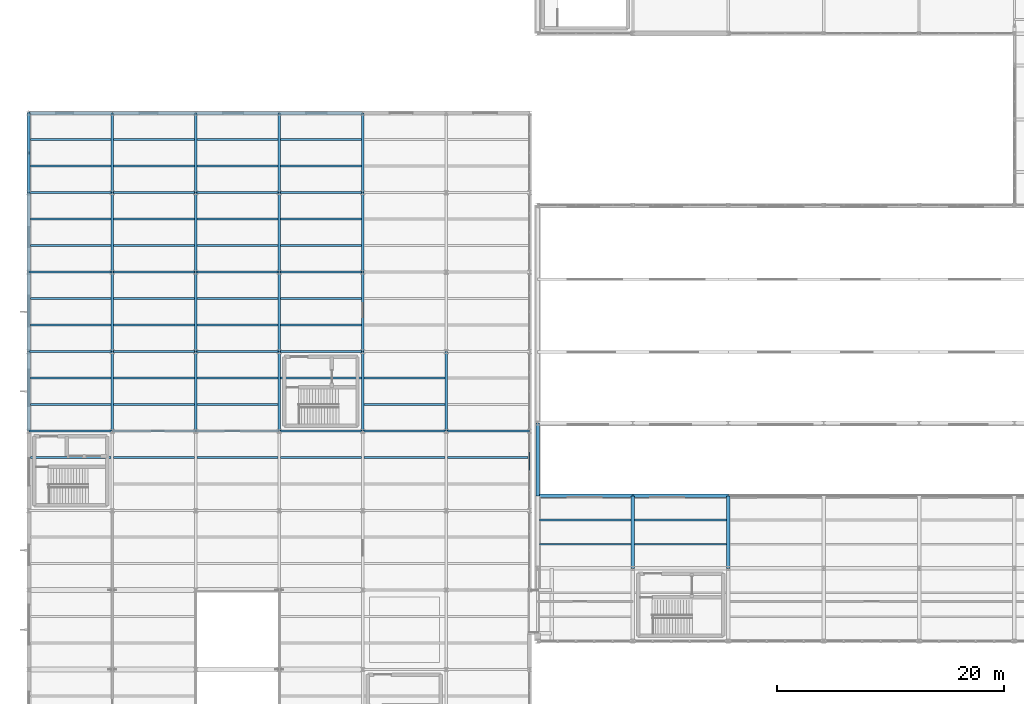
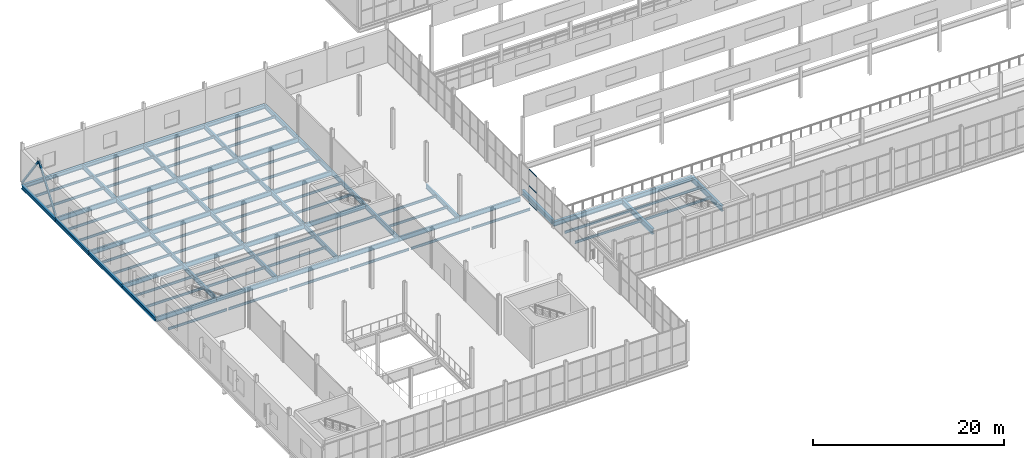
# One storey, part 50 of 218: 91 beams, 5 members, 1 element without a shape of its own.
"""IFC4 building model written with IfcOpenShell, lengths in metres."""

from ifc_helpers import new_model, si_unit, direction, frame, origin, origin_2d, place, context, subcontext, project, spatial, hollow_rectangle, i_section, extrude, material, material_profile, profile_set, type_object, element, aggregate, save


model = new_model("IFC4")

# Units and contexts
model_context = context("Model", 3, precision=1e-05, world=origin(), true_north=direction((0.0, 1.0)))
body_context = subcontext(model_context, "Body", "Model", "MODEL_VIEW")
ifc_project = project(units=[si_unit("LENGTHUNIT", "METRE"), si_unit("AREAUNIT", "SQUARE_METRE"), si_unit("VOLUMEUNIT", "CUBIC_METRE"), si_unit("PLANEANGLEUNIT", "RADIAN"), si_unit("MASSUNIT", "GRAM", prefix="KILO")], contexts=[model_context])

# Site, building, storey
site_placement = place(None, origin())
site = spatial("IfcSite", under=ifc_project, at=site_placement, CompositionType="ELEMENT")
building_placement = place(site_placement, origin())
building = spatial("IfcBuilding", under=site, at=building_placement, Name="Kazenagashi Tramway Depot", CompositionType="ELEMENT")
storey_placement = place(building_placement, frame((0.0, 0.0, 6.0)))
storey = spatial("IfcBuildingStorey", under=building, at=storey_placement, Name="L02", CompositionType="ELEMENT", Elevation=6.0)

# Members
ifc_material_1 = material(Name="Steel STKR490", Category="steel")
ifc_material_profile_1 = material_profile(ifc_material_1, hollow_rectangle(XDim=0.2, YDim=0.2, WallThickness=0.009, at=origin_2d()), Name="SHS-200x200x9")
ifc_profile_set_1 = profile_set([ifc_material_profile_1], Name="Steel STKR490")
member_type_1 = type_object("IfcMemberType", Name="BR-01", PredefinedType="BRACE", material=ifc_profile_set_1)
for number, where, z_axis, x_axis, name in (
    (1, (0.0, 56.0, 0.0), (0.0, 0.585185286754, 0.810899611645), (-1.0, 0.0, 0.0), "Seismic Brace Member BR-01 MEM-1604"),
    (2, (0.0, 63.0, 0.0), (0.0, -0.585185286754, 0.810899611645), (1.0, 0.0, 0.0), "Seismic Brace Member BR-01 MEM-1605"),
):
    element("IfcMember", number, at=place(storey_placement, frame(where, z_axis=z_axis, x_axis=x_axis)), inside=storey, type_object=member_type_1, Name=name, PredefinedType="BRACE", context=body_context, shape_type="SweptSolid", body=[
        extrude(hollow_rectangle(XDim=0.2, YDim=0.2, WallThickness=0.009, at=origin_2d()), origin(), (0.0, 0.0, 1.0), 5.981012),
    ])

# Beams
ifc_material_2 = material(Name="Steel SN490B", Category="steel")
ifc_material_profile_2 = material_profile(ifc_material_2, i_section(OverallWidth=0.3, OverallDepth=0.7, WebThickness=0.013, FlangeThickness=0.024, at=origin_2d()), Name="H-700x300x13x24")
ifc_profile_set_2 = profile_set([ifc_material_profile_2], Name="Steel SN490B")
beam_type_1 = type_object("IfcBeamType", Name="G-02", PredefinedType="BEAM", material=ifc_profile_set_2)
for number, where, z_axis, x_axis, name in (
    (3, (53.2, 22.9, -0.6), (0.0, 1.0, 0.0), (-1.0, 0.0, 0.0), "Beam G-02 BM-1038"),
    (4, (61.6, 22.9, -0.6), (0.0, 1.0, 0.0), (-1.0, 0.0, 0.0), "Beam G-02 BM-1044"),
):
    element("IfcBeam", number, at=place(storey_placement, frame(where, z_axis=z_axis, x_axis=x_axis)), inside=storey, type_object=beam_type_1, Name=name, PredefinedType="BEAM", context=body_context, shape_type="SweptSolid", body=[
        extrude(i_section(OverallWidth=0.3, OverallDepth=0.7, WebThickness=0.013, FlangeThickness=0.024, at=origin_2d()), origin(), (0.0, 0.0, 1.0), 6.4),
    ])
ifc_material_profile_3 = material_profile(ifc_material_2, i_section(OverallWidth=0.2, OverallDepth=0.6, WebThickness=0.011, FlangeThickness=0.017, at=origin_2d()), Name="H-600x200x11x17")
ifc_profile_set_3 = profile_set([ifc_material_profile_3], Name="Steel SN490B")
beam_type_2 = type_object("IfcBeamType", Name="G-03", PredefinedType="BEAM", material=ifc_profile_set_3)
for number, where, z_axis, x_axis, name in (
    (5, (0.0, 35.0, -0.55), (1.0, 0.0, 0.0), (0.0, 1.0, 0.0), "Beam G-03 BM-0025"),
    (6, (7.35, 35.0, -0.55), (1.0, 0.0, 0.0), (0.0, 1.0, 0.0), "Beam G-03 BM-0026"),
    (7, (14.7, 35.0, -0.55), (1.0, 0.0, 0.0), (0.0, 1.0, 0.0), "Beam G-03 BM-0027"),
    (8, (22.05, 35.0, -0.55), (1.0, 0.0, 0.0), (0.0, 1.0, 0.0), "Beam G-03 BM-0028"),
    (9, (29.4, 35.0, -0.55), (1.0, 0.0, 0.0), (0.0, 1.0, 0.0), "Beam G-03 BM-0029"),
    (10, (36.75, 35.0, -0.55), (1.0, 0.0, 0.0), (0.0, 1.0, 0.0), "Beam G-03 BM-0030"),
    (11, (0.0, 42.0, -0.55), (1.0, 0.0, 0.0), (0.0, 1.0, 0.0), "Beam G-03 BM-0031"),
    (12, (7.35, 42.0, -0.55), (1.0, 0.0, 0.0), (0.0, 1.0, 0.0), "Beam G-03 BM-0032"),
    (13, (14.7, 42.0, -0.55), (1.0, 0.0, 0.0), (0.0, 1.0, 0.0), "Beam G-03 BM-0033"),
    (14, (22.05, 42.0, -0.55), (1.0, 0.0, 0.0), (0.0, 1.0, 0.0), "Beam G-03 BM-0034"),
    (15, (0.0, 49.0, -0.55), (1.0, 0.0, 0.0), (0.0, 1.0, 0.0), "Beam G-03 BM-0037"),
    (16, (7.35, 49.0, -0.55), (1.0, 0.0, 0.0), (0.0, 1.0, 0.0), "Beam G-03 BM-0038"),
    (17, (14.7, 49.0, -0.55), (1.0, 0.0, 0.0), (0.0, 1.0, 0.0), "Beam G-03 BM-0039"),
    (18, (22.05, 49.0, -0.55), (1.0, 0.0, 0.0), (0.0, 1.0, 0.0), "Beam G-03 BM-0040"),
    (19, (0.0, 56.0, -0.55), (1.0, 0.0, 0.0), (0.0, 1.0, 0.0), "Beam G-03 BM-0043"),
    (20, (7.35, 56.0, -0.55), (1.0, 0.0, 0.0), (0.0, 1.0, 0.0), "Beam G-03 BM-0044"),
    (21, (14.7, 56.0, -0.55), (1.0, 0.0, 0.0), (0.0, 1.0, 0.0), "Beam G-03 BM-0045"),
    (22, (22.05, 56.0, -0.55), (1.0, 0.0, 0.0), (0.0, 1.0, 0.0), "Beam G-03 BM-0046"),
):
    element("IfcBeam", number, at=place(storey_placement, frame(where, z_axis=z_axis, x_axis=x_axis)), inside=storey, type_object=beam_type_2, Name=name, PredefinedType="BEAM", context=body_context, shape_type="SweptSolid", body=[
        extrude(i_section(OverallWidth=0.2, OverallDepth=0.6, WebThickness=0.011, FlangeThickness=0.017, at=origin_2d()), origin(), (0.0, 0.0, 1.0), 7.35),
    ])
for number, where, z_axis, x_axis, name in (
    (23, (7.35, 35.0, -0.55), (0.0, 1.0, 0.0), (-1.0, 0.0, 0.0), "Beam G-03 BM-0095"),
    (24, (7.35, 42.0, -0.55), (0.0, 1.0, 0.0), (-1.0, 0.0, 0.0), "Beam G-03 BM-0098"),
    (25, (7.35, 49.0, -0.55), (0.0, 1.0, 0.0), (-1.0, 0.0, 0.0), "Beam G-03 BM-0101"),
    (26, (7.35, 56.0, -0.55), (0.0, 1.0, 0.0), (-1.0, 0.0, 0.0), "Beam G-03 BM-0104"),
    (27, (14.7, 35.0, -0.55), (0.0, 1.0, 0.0), (-1.0, 0.0, 0.0), "Beam G-03 BM-0118"),
    (28, (14.7, 42.0, -0.55), (0.0, 1.0, 0.0), (-1.0, 0.0, 0.0), "Beam G-03 BM-0121"),
    (29, (14.7, 49.0, -0.55), (0.0, 1.0, 0.0), (-1.0, 0.0, 0.0), "Beam G-03 BM-0124"),
    (30, (14.7, 56.0, -0.55), (0.0, 1.0, 0.0), (-1.0, 0.0, 0.0), "Beam G-03 BM-0127"),
    (31, (22.05, 35.0, -0.55), (0.0, 1.0, 0.0), (-1.0, 0.0, 0.0), "Beam G-03 BM-0145"),
    (32, (22.05, 42.0, -0.55), (0.0, 1.0, 0.0), (-1.0, 0.0, 0.0), "Beam G-03 BM-0147"),
    (33, (22.05, 49.0, -0.55), (0.0, 1.0, 0.0), (-1.0, 0.0, 0.0), "Beam G-03 BM-0150"),
    (34, (22.05, 56.0, -0.55), (0.0, 1.0, 0.0), (-1.0, 0.0, 0.0), "Beam G-03 BM-0153"),
    (35, (29.4, 35.0, -0.55), (0.0, 1.0, 0.0), (-1.0, 0.0, 0.0), "Beam G-03 BM-0170"),
    (36, (29.4, 42.0, -0.55), (0.0, 1.0, 0.0), (-1.0, 0.0, 0.0), "Beam G-03 BM-0173"),
    (37, (29.4, 49.0, -0.55), (0.0, 1.0, 0.0), (-1.0, 0.0, 0.0), "Beam G-03 BM-0176"),
    (38, (29.4, 56.0, -0.55), (0.0, 1.0, 0.0), (-1.0, 0.0, 0.0), "Beam G-03 BM-0179"),
    (39, (36.75, 35.0, -0.55), (0.0, 1.0, 0.0), (-1.0, 0.0, 0.0), "Beam G-03 BM-0197"),
):
    element("IfcBeam", number, at=place(storey_placement, frame(where, z_axis=z_axis, x_axis=x_axis)), inside=storey, type_object=beam_type_2, Name=name, PredefinedType="BEAM", context=body_context, shape_type="SweptSolid", body=[
        extrude(i_section(OverallWidth=0.2, OverallDepth=0.6, WebThickness=0.011, FlangeThickness=0.017, at=origin_2d()), origin(), (0.0, 0.0, 1.0), 7.0),
    ])
ifc_material_3 = material(Name="Steel SN400B", Category="steel")
ifc_material_profile_4 = material_profile(ifc_material_3, i_section(OverallWidth=0.15, OverallDepth=0.3, WebThickness=0.0065, FlangeThickness=0.009, at=origin_2d()), Name="H-300x150x6.5x9")
ifc_profile_set_4 = profile_set([ifc_material_profile_4], Name="Steel SN400B")
beam_type_3 = type_object("IfcBeamType", Name="J-02", PredefinedType="JOIST", material=ifc_profile_set_4)
for number, where, z_axis, x_axis, name in (
    (40, (0.15, 32.667, -0.4), (1.0, 0.0, 0.0), (0.0, 1.0, 0.0), "Beam J-02 BM-0067"),
    (41, (0.15, 37.333, -0.4), (1.0, 0.0, 0.0), (0.0, 1.0, 0.0), "Beam J-02 BM-0069"),
    (42, (0.15, 39.667, -0.4), (1.0, 0.0, 0.0), (0.0, 1.0, 0.0), "Beam J-02 BM-0070"),
    (43, (0.15, 44.333, -0.4), (1.0, 0.0, 0.0), (0.0, 1.0, 0.0), "Beam J-02 BM-0072"),
    (44, (0.15, 46.667, -0.4), (1.0, 0.0, 0.0), (0.0, 1.0, 0.0), "Beam J-02 BM-0073"),
    (45, (0.15, 51.333, -0.4), (1.0, 0.0, 0.0), (0.0, 1.0, 0.0), "Beam J-02 BM-0075"),
    (46, (0.15, 53.667, -0.4), (1.0, 0.0, 0.0), (0.0, 1.0, 0.0), "Beam J-02 BM-0076"),
    (47, (0.15, 58.333, -0.4), (1.0, 0.0, 0.0), (0.0, 1.0, 0.0), "Beam J-02 BM-0078"),
    (48, (0.15, 60.667, -0.4), (1.0, 0.0, 0.0), (0.0, 1.0, 0.0), "Beam J-02 BM-0079"),
):
    element("IfcBeam", number, at=place(storey_placement, frame(where, z_axis=z_axis, x_axis=x_axis)), inside=storey, type_object=beam_type_3, Name=name, PredefinedType="JOIST", context=body_context, shape_type="SweptSolid", body=[
        extrude(i_section(OverallWidth=0.15, OverallDepth=0.3, WebThickness=0.0065, FlangeThickness=0.009, at=origin_2d()), origin(), (0.0, 0.0, 1.0), 7.1),
    ])
for number, where, z_axis, x_axis, name in (
    (49, (7.45, 32.667, -0.4), (1.0, 0.0, 0.0), (0.0, 1.0, 0.0), "Beam J-02 BM-0094"),
    (50, (7.45, 37.333, -0.4), (1.0, 0.0, 0.0), (0.0, 1.0, 0.0), "Beam J-02 BM-0096"),
    (51, (7.45, 39.667, -0.4), (1.0, 0.0, 0.0), (0.0, 1.0, 0.0), "Beam J-02 BM-0097"),
    (52, (7.45, 44.333, -0.4), (1.0, 0.0, 0.0), (0.0, 1.0, 0.0), "Beam J-02 BM-0099"),
    (53, (7.45, 46.667, -0.4), (1.0, 0.0, 0.0), (0.0, 1.0, 0.0), "Beam J-02 BM-0100"),
    (54, (7.45, 51.333, -0.4), (1.0, 0.0, 0.0), (0.0, 1.0, 0.0), "Beam J-02 BM-0102"),
    (55, (7.45, 53.667, -0.4), (1.0, 0.0, 0.0), (0.0, 1.0, 0.0), "Beam J-02 BM-0103"),
    (56, (7.45, 58.333, -0.4), (1.0, 0.0, 0.0), (0.0, 1.0, 0.0), "Beam J-02 BM-0105"),
    (57, (7.45, 60.667, -0.4), (1.0, 0.0, 0.0), (0.0, 1.0, 0.0), "Beam J-02 BM-0106"),
    (58, (14.8, 32.667, -0.4), (1.0, 0.0, 0.0), (0.0, 1.0, 0.0), "Beam J-02 BM-0117"),
    (59, (14.8, 37.333, -0.4), (1.0, 0.0, 0.0), (0.0, 1.0, 0.0), "Beam J-02 BM-0119"),
    (60, (14.8, 39.667, -0.4), (1.0, 0.0, 0.0), (0.0, 1.0, 0.0), "Beam J-02 BM-0120"),
    (61, (14.8, 44.333, -0.4), (1.0, 0.0, 0.0), (0.0, 1.0, 0.0), "Beam J-02 BM-0122"),
    (62, (14.8, 46.667, -0.4), (1.0, 0.0, 0.0), (0.0, 1.0, 0.0), "Beam J-02 BM-0123"),
    (63, (14.8, 51.333, -0.4), (1.0, 0.0, 0.0), (0.0, 1.0, 0.0), "Beam J-02 BM-0125"),
    (64, (14.8, 53.667, -0.4), (1.0, 0.0, 0.0), (0.0, 1.0, 0.0), "Beam J-02 BM-0126"),
    (65, (14.8, 58.333, -0.4), (1.0, 0.0, 0.0), (0.0, 1.0, 0.0), "Beam J-02 BM-0128"),
    (66, (14.8, 60.667, -0.4), (1.0, 0.0, 0.0), (0.0, 1.0, 0.0), "Beam J-02 BM-0129"),
    (67, (22.15, 32.667, -0.4), (1.0, 0.0, 0.0), (0.0, 1.0, 0.0), "Beam J-02 BM-0144"),
    (68, (22.15, 39.667, -0.4), (1.0, 0.0, 0.0), (0.0, 1.0, 0.0), "Beam J-02 BM-0146"),
    (69, (22.15, 44.333, -0.4), (1.0, 0.0, 0.0), (0.0, 1.0, 0.0), "Beam J-02 BM-0148"),
    (70, (22.15, 46.667, -0.4), (1.0, 0.0, 0.0), (0.0, 1.0, 0.0), "Beam J-02 BM-0149"),
    (71, (22.15, 51.333, -0.4), (1.0, 0.0, 0.0), (0.0, 1.0, 0.0), "Beam J-02 BM-0151"),
    (72, (22.15, 53.667, -0.4), (1.0, 0.0, 0.0), (0.0, 1.0, 0.0), "Beam J-02 BM-0152"),
    (73, (22.15, 58.333, -0.4), (1.0, 0.0, 0.0), (0.0, 1.0, 0.0), "Beam J-02 BM-0154"),
    (74, (22.15, 60.667, -0.4), (1.0, 0.0, 0.0), (0.0, 1.0, 0.0), "Beam J-02 BM-0155"),
    (75, (29.5, 32.667, -0.4), (1.0, 0.0, 0.0), (0.0, 1.0, 0.0), "Beam J-02 BM-0169"),
    (76, (29.5, 37.333, -0.4), (1.0, 0.0, 0.0), (0.0, 1.0, 0.0), "Beam J-02 BM-0171"),
    (77, (29.5, 39.667, -0.4), (1.0, 0.0, 0.0), (0.0, 1.0, 0.0), "Beam J-02 BM-0172"),
):
    element("IfcBeam", number, at=place(storey_placement, frame(where, z_axis=z_axis, x_axis=x_axis)), inside=storey, type_object=beam_type_3, Name=name, PredefinedType="JOIST", context=body_context, shape_type="SweptSolid", body=[
        extrude(i_section(OverallWidth=0.15, OverallDepth=0.3, WebThickness=0.0065, FlangeThickness=0.009, at=origin_2d()), origin(), (0.0, 0.0, 1.0), 7.15),
    ])
beam_1_placement = place(storey_placement, frame((36.85, 32.667, -0.4), z_axis=(1.0, 0.0, 0.0), x_axis=(0.0, 1.0, 0.0)))
element("IfcBeam", 78, at=beam_1_placement, inside=storey, type_object=beam_type_3, Name="Beam J-02 BM-0196", PredefinedType="JOIST", context=body_context, shape_type="SweptSolid", body=[
    extrude(i_section(OverallWidth=0.15, OverallDepth=0.3, WebThickness=0.0065, FlangeThickness=0.009, at=origin_2d()), origin(), (0.0, 0.0, 1.0), 7.1),
])
for number, where, z_axis, x_axis, name in (
    (79, (44.95, 25.033, -0.4), (1.0, 0.0, 0.0), (0.0, 1.0, 0.0), "Beam J-02 BM-1034"),
    (80, (44.95, 27.167, -0.4), (1.0, 0.0, 0.0), (0.0, 1.0, 0.0), "Beam J-02 BM-1035"),
    (81, (53.35, 25.033, -0.4), (1.0, 0.0, 0.0), (0.0, 1.0, 0.0), "Beam J-02 BM-1039"),
    (82, (53.35, 27.167, -0.4), (1.0, 0.0, 0.0), (0.0, 1.0, 0.0), "Beam J-02 BM-1040"),
):
    element("IfcBeam", number, at=place(storey_placement, frame(where, z_axis=z_axis, x_axis=x_axis)), inside=storey, type_object=beam_type_3, Name=name, PredefinedType="JOIST", context=body_context, shape_type="SweptSolid", body=[
        extrude(i_section(OverallWidth=0.15, OverallDepth=0.3, WebThickness=0.0065, FlangeThickness=0.009, at=origin_2d()), origin(), (0.0, 0.0, 1.0), 8.1),
    ])
ifc_material_profile_5 = material_profile(ifc_material_2, i_section(OverallWidth=0.3, OverallDepth=0.588, WebThickness=0.012, FlangeThickness=0.02, at=origin_2d()), Name="H-588x300x12x20")
ifc_profile_set_5 = profile_set([ifc_material_profile_5], Name="Steel SN490B")
beam_type_4 = type_object("IfcBeamType", Name="SP-01", PredefinedType="SPANDREL", material=ifc_profile_set_5)
for number, where, z_axis, x_axis, name in (
    (83, (44.8, 29.3, -0.544), (1.0, 0.0, 0.0), (0.0, 1.0, 0.0), "Beam SP-01 BM-1018"),
    (84, (53.2, 29.3, -0.544), (1.0, 0.0, 0.0), (0.0, 1.0, 0.0), "Beam SP-01 BM-1019"),
):
    element("IfcBeam", number, at=place(storey_placement, frame(where, z_axis=z_axis, x_axis=x_axis)), inside=storey, type_object=beam_type_4, Name=name, PredefinedType="SPANDREL", context=body_context, shape_type="SweptSolid", body=[
        extrude(i_section(OverallWidth=0.3, OverallDepth=0.588, WebThickness=0.012, FlangeThickness=0.02, at=origin_2d()), origin(), (0.0, 0.0, 1.0), 8.4),
    ])
beam_2_placement = place(storey_placement, frame((44.8, 29.3, -0.314), z_axis=(0.0, 1.0, 0.0), x_axis=(-1.0, 0.0, 0.0)))
element("IfcBeam", 85, at=beam_2_placement, inside=storey, type_object=beam_type_4, Name="Beam SP-01 BM-2354", PredefinedType="SPANDREL", context=body_context, shape_type="SweptSolid", body=[
    extrude(i_section(OverallWidth=0.3, OverallDepth=0.588, WebThickness=0.012, FlangeThickness=0.02, at=origin_2d()), origin(), (0.0, 0.0, 1.0), 6.4),
])
ifc_material_profile_6 = material_profile(ifc_material_2, i_section(OverallWidth=0.3, OverallDepth=0.488, WebThickness=0.011, FlangeThickness=0.018, at=origin_2d()), Name="H-488x300x11x18")
ifc_profile_set_6 = profile_set([ifc_material_profile_6], Name="Steel SN490B")
beam_type_5 = type_object("IfcBeamType", Name="SP-02", PredefinedType="SPANDREL", material=ifc_profile_set_6)
for number, where, z_axis, x_axis, name in (
    (86, (0.0, 63.0, -0.494), (1.0, 0.0, 0.0), (0.0, 1.0, 0.0), "Beam SP-02 BM-0049"),
    (87, (7.35, 63.0, -0.494), (1.0, 0.0, 0.0), (0.0, 1.0, 0.0), "Beam SP-02 BM-0050"),
    (88, (14.7, 63.0, -0.494), (1.0, 0.0, 0.0), (0.0, 1.0, 0.0), "Beam SP-02 BM-0051"),
    (89, (22.05, 63.0, -0.494), (1.0, 0.0, 0.0), (0.0, 1.0, 0.0), "Beam SP-02 BM-0052"),
):
    element("IfcBeam", number, at=place(storey_placement, frame(where, z_axis=z_axis, x_axis=x_axis)), inside=storey, type_object=beam_type_5, Name=name, PredefinedType="SPANDREL", context=body_context, shape_type="SweptSolid", body=[
        extrude(i_section(OverallWidth=0.3, OverallDepth=0.488, WebThickness=0.011, FlangeThickness=0.018, at=origin_2d()), origin(), (0.0, 0.0, 1.0), 7.35),
    ])
for number, where, z_axis, x_axis, name in (
    (90, (0.0, 35.0, -0.494), (0.0, 1.0, 0.0), (-1.0, 0.0, 0.0), "Beam SP-02 BM-0068"),
    (91, (0.0, 42.0, -0.494), (0.0, 1.0, 0.0), (-1.0, 0.0, 0.0), "Beam SP-02 BM-0071"),
    (92, (0.0, 49.0, -0.494), (0.0, 1.0, 0.0), (-1.0, 0.0, 0.0), "Beam SP-02 BM-0074"),
    (93, (0.0, 56.0, -0.494), (0.0, 1.0, 0.0), (-1.0, 0.0, 0.0), "Beam SP-02 BM-0077"),
):
    element("IfcBeam", number, at=place(storey_placement, frame(where, z_axis=z_axis, x_axis=x_axis)), inside=storey, type_object=beam_type_5, Name=name, PredefinedType="SPANDREL", context=body_context, shape_type="SweptSolid", body=[
        extrude(i_section(OverallWidth=0.3, OverallDepth=0.488, WebThickness=0.011, FlangeThickness=0.018, at=origin_2d()), origin(), (0.0, 0.0, 1.0), 7.0),
    ])

# Curtain wall, members
ifc_material_4 = material(Name="Anodised Aluminium and Low-E Glazing", Category="aluminium")
curtain_wall_type = type_object("IfcCurtainWallType", Name="CW-34", PredefinedType="USERDEFINED", material=ifc_material_4)
curtain_wall_placement = place(storey_placement, origin())
curtain_wall = element("IfcCurtainWall", 94, at=curtain_wall_placement, inside=storey, type_object=curtain_wall_type, Name="Industrial Glazed Screen CW-34 CW-0188", ObjectType="GLAZED SCREEN", PredefinedType="USERDEFINED")
ifc_material_5 = material(Name="Anodised Aluminium", Category="aluminium")
ifc_material_profile_7 = material_profile(ifc_material_5, hollow_rectangle(XDim=0.06, YDim=0.12, WallThickness=0.004, at=origin_2d()), Name="RHS-120x60x4")
ifc_profile_set_7 = profile_set([ifc_material_profile_7], Name="Anodised Aluminium")
member_type_2 = type_object("IfcMemberType", Name="TR-01", PredefinedType="USERDEFINED", material=ifc_profile_set_7)
member_1_placement = place(storey_placement, frame((44.1, 31.53, 0.03), z_axis=(0.0, 1.0, 0.0), x_axis=(-1.0, 0.0, 0.0)))
member_1 = element("IfcMember", 95, at=member_1_placement, type_object=member_type_2, Name="CW-34 transom 3.1", ObjectType="TRANSOM", PredefinedType="USERDEFINED", context=body_context, shape_type="SweptSolid", body=[
    extrude(hollow_rectangle(XDim=0.06, YDim=0.12, WallThickness=0.004, at=origin_2d()), origin(), (0.0, 0.0, 1.0), 1.62),
])
member_2_placement = place(storey_placement, frame((44.1, 31.53, 2.268), z_axis=(0.0, 1.0, 0.0), x_axis=(-1.0, 0.0, 0.0)))
member_2 = element("IfcMember", 96, at=member_2_placement, type_object=member_type_2, Name="CW-34 transom 3.2", ObjectType="TRANSOM", PredefinedType="USERDEFINED", context=body_context, shape_type="SweptSolid", body=[
    extrude(hollow_rectangle(XDim=0.06, YDim=0.12, WallThickness=0.004, at=origin_2d()), origin(), (0.0, 0.0, 1.0), 1.62),
])
member_3_placement = place(storey_placement, frame((44.1, 31.53, 4.332), z_axis=(0.0, 1.0, 0.0), x_axis=(-1.0, 0.0, 0.0)))
member_3 = element("IfcMember", 97, at=member_3_placement, type_object=member_type_2, Name="CW-34 transom 3.3", ObjectType="TRANSOM", PredefinedType="USERDEFINED", context=body_context, shape_type="SweptSolid", body=[
    extrude(hollow_rectangle(XDim=0.06, YDim=0.12, WallThickness=0.004, at=origin_2d()), origin(), (0.0, 0.0, 1.0), 1.62),
])
aggregate(curtain_wall, [member_1, member_2, member_3])

save(model, "model.ifc")
